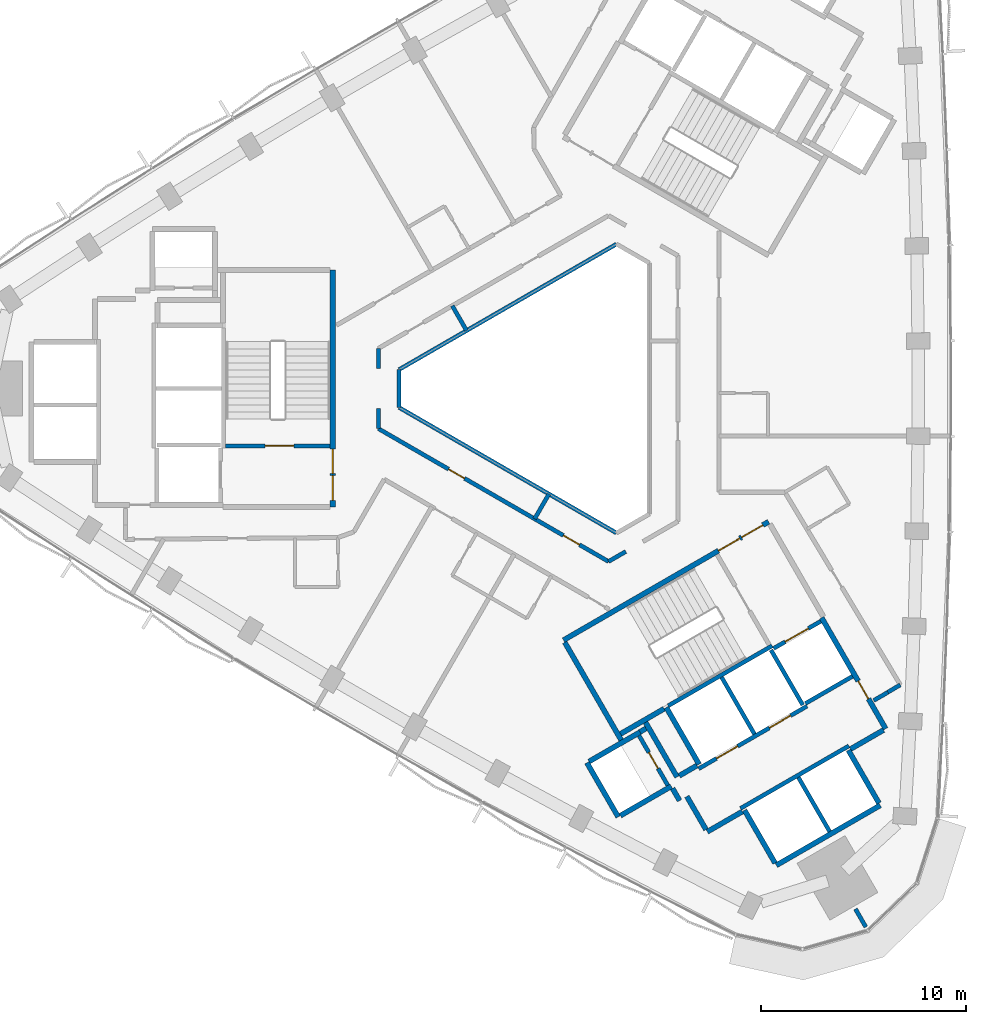
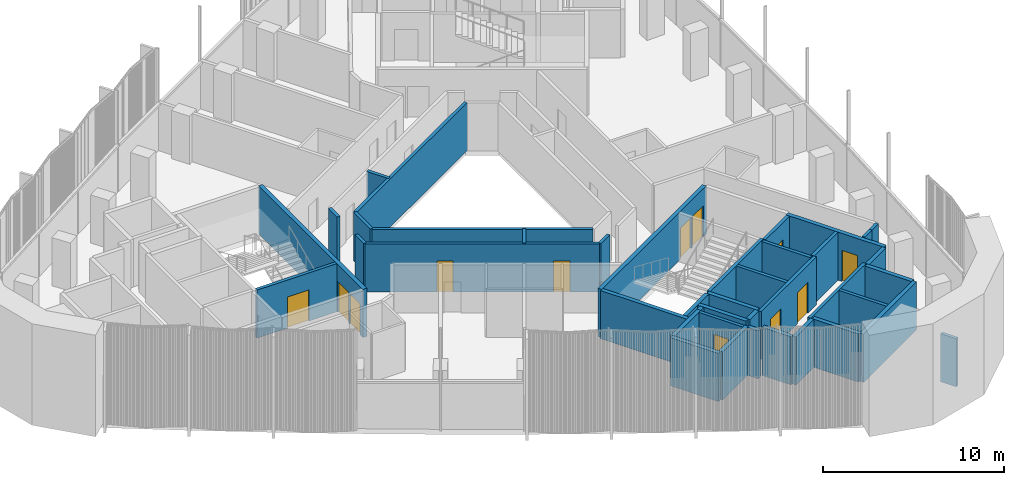
# One storey, part 8 of 14: 41 walls, 12 doors, 12 openings.
"""IFC4 building model written with IfcOpenShell, lengths in metres."""

from ifc_helpers import new_model, si_unit, direction, frame, frame_2d, origin, place, context, subcontext, project, spatial, rectangle, extrude, material, layer, layer_set, type_object, element, fill, save


model = new_model("IFC4")

# Units and contexts
model_context = context("Model", 3, precision=1e-05, world=origin(), true_north=direction((0.0, 1.0)))
body_context = subcontext(model_context, "Body", "Model", "MODEL_VIEW")
ifc_project = project(units=[si_unit("LENGTHUNIT", "METRE"), si_unit("AREAUNIT", "SQUARE_METRE"), si_unit("VOLUMEUNIT", "CUBIC_METRE"), si_unit("PLANEANGLEUNIT", "RADIAN"), si_unit("MASSUNIT", "GRAM", prefix="KILO")], contexts=[model_context])

# Site, building, storey
site_placement = place(None, origin())
site = spatial("IfcSite", under=ifc_project, at=site_placement, CompositionType="ELEMENT")
building_placement = place(site_placement, origin())
building = spatial("IfcBuilding", under=site, at=building_placement, Name="Tamra Quay Hotel Tower", CompositionType="ELEMENT")
storey_placement = place(building_placement, frame((0.0, 0.0, 175.60009765625)))
storey = spatial("IfcBuildingStorey", under=building, at=storey_placement, Name="L43", CompositionType="ELEMENT", Elevation=175.60009765625)

# Wall, opening, door
ifc_material_1 = material(Name="Concrete M70", Category="concrete")
ifc_layer_1 = layer(ifc_material_1, 0.199951171875)
ifc_layer_set_1 = layer_set([ifc_layer_1], Name="Concrete M70 core wall 200")
wall_type_1 = type_object("IfcWallType", Name="Concrete M70 core wall 200", PredefinedType="SHEAR", material=ifc_layer_set_1)
wall_1_placement = place(storey_placement, frame((-10.96337890625, -2.800048828125, 0.0), z_axis=(0.0, 0.0, 1.0), x_axis=(-1.0, 0.0, 0.0)))
wall_1 = element("IfcWall", 1, at=wall_1_placement, inside=storey, type_object=wall_type_1, Name="CW2", PredefinedType="SHEAR", context=body_context, shape_type="SweptSolid", body=[
    extrude(rectangle(XDim=5.097900390625, YDim=0.199951171875, at=frame_2d((2.548828125, 0.0))), origin(), (0.0, 0.0, 1.0), 3.25),
])
opening_1_placement = place(wall_1_placement, frame((1.77392578125, 0.0, 0.0)))
opening_1 = element("IfcOpeningElement", 2, at=opening_1_placement, cuts=wall_1, Name="Opening FD2", PredefinedType="OPENING", context=body_context, shape_type="SweptSolid", body=[
    extrude(rectangle(XDim=1.39990234375, YDim=2.10009765625, at=frame_2d((0.699951171875, 1.050048828125))), frame((0.0, 0.10986328125, 0.0), z_axis=(0.0, -1.0, 0.0), x_axis=(1.0, 0.0, 0.0)), (0.0, 0.0, 1.0), 0.219970703125),
])
ifc_material_2 = material(Name="Core door FD2 1400x2100 RH")
door_type_1 = type_object("IfcDoorType", Name="Core door FD2 1400x2100 RH", OperationType="NOTDEFINED", PredefinedType="DOOR", material=ifc_material_2)
door_1_placement = place(opening_1_placement, origin())
door_1 = element("IfcDoor", 3, at=door_1_placement, inside=storey, type_object=door_type_1, Name="FD2", OperationType="SINGLE_SWING_RIGHT", OverallHeight=2.10009765625, OverallWidth=1.39990234375, PredefinedType="DOOR", context=body_context, shape_type="SweptSolid", body=[
    extrude(rectangle(XDim=1.39990234375, YDim=2.10009765625, at=frame_2d((0.699951171875, 1.050048828125))), frame((0.0, 0.02490234375, 0.0), z_axis=(0.0, -1.0, 0.0), x_axis=(1.0, 0.0, 0.0)), (0.0, 0.0, 1.0), 0.050048828125),
])
fill(opening_1, door_1)

# Walls
wall_2_placement = place(storey_placement, frame((9.052490234375, -20.479736328125, 0.0), z_axis=(0.0, 0.0, 1.0), x_axis=(0.866030299012, 0.499991521122, 0.0)))
element("IfcWall", 4, at=wall_2_placement, inside=storey, type_object=wall_type_1, Name="CW2", PredefinedType="SHEAR", context=body_context, shape_type="SweptSolid", body=[
    extrude(rectangle(XDim=6.10009765625, YDim=0.199951171875, at=frame_2d((3.050048828125, 0.0))), origin(), (0.0, 0.0, 1.0), 3.25),
])
wall_3_placement = place(storey_placement, frame((5.525634765625, -15.47216796875, 0.0), z_axis=(0.0, 0.0, 1.0), x_axis=(0.866041752167, 0.499971682701, 0.0)))
element("IfcWall", 5, at=wall_3_placement, inside=storey, type_object=wall_type_1, Name="CW2", PredefinedType="SHEAR", context=body_context, shape_type="SweptSolid", body=[
    extrude(rectangle(XDim=5.850830078125, YDim=0.199951171875, at=frame_2d((2.92529296875, 0.0))), origin(), (0.0, 0.0, 1.0), 3.25),
])

# Wall, openings, doors
wall_4_placement = place(storey_placement, frame((12.292724609375, -15.491455078125, 0.0), z_axis=(0.0, 0.0, 1.0), x_axis=(-0.866030299012, -0.499991521122, 0.0)))
wall_4 = element("IfcWall", 6, at=wall_4_placement, inside=storey, type_object=wall_type_1, Name="CW2", PredefinedType="SHEAR", context=body_context, shape_type="SweptSolid", body=[
    extrude(rectangle(XDim=6.10009765625, YDim=0.199951171875, at=frame_2d((3.050048828125, 0.0))), origin(), (0.0, 0.0, 1.0), 3.25),
])
opening_2_placement = place(wall_4_placement, frame((3.900146484375, 0.0, 0.0)))
opening_2 = element("IfcOpeningElement", 7, at=opening_2_placement, cuts=wall_4, Name="Opening LD", PredefinedType="OPENING", context=body_context, shape_type="SweptSolid", body=[
    extrude(rectangle(XDim=1.199951171875, YDim=2.10009765625, at=frame_2d((0.60009765625, 1.050048828125))), frame((0.0, 0.10986328125, 0.0), z_axis=(0.0, -1.0, 0.0), x_axis=(1.0, 0.0, 0.0)), (0.0, 0.0, 1.0), 0.219970703125),
])
opening_3_placement = place(wall_4_placement, frame((0.918212890625, 0.0, 0.0)))
opening_3 = element("IfcOpeningElement", 8, at=opening_3_placement, cuts=wall_4, Name="Opening LD", PredefinedType="OPENING", context=body_context, shape_type="SweptSolid", body=[
    extrude(rectangle(XDim=1.199951171875, YDim=2.10009765625, at=frame_2d((0.60009765625, 1.050048828125))), frame((0.0, 0.10986328125, 0.0), z_axis=(0.0, -1.0, 0.0), x_axis=(1.0, 0.0, 0.0)), (0.0, 0.0, 1.0), 0.219970703125),
])
ifc_material_3 = material(Name="Landing door LD 1200 double door sliding")
door_type_2 = type_object("IfcDoorType", Name="Landing door LD 1200 double door sliding", OperationType="DOUBLE_DOOR_SLIDING", PredefinedType="DOOR", material=ifc_material_3)
door_2_placement = place(opening_2_placement, origin())
door_2 = element("IfcDoor", 9, at=door_2_placement, inside=storey, type_object=door_type_2, Name="LD", OperationType="DOUBLE_DOOR_SLIDING", OverallHeight=2.10009765625, OverallWidth=1.199951171875, PredefinedType="DOOR", context=body_context, shape_type="SweptSolid", body=[
    extrude(rectangle(XDim=1.199951171875, YDim=2.10009765625, at=frame_2d((0.60009765625, 1.050048828125))), frame((0.0, 0.02490234375, 0.0), z_axis=(0.0, -1.0, 0.0), x_axis=(1.0, 0.0, 0.0)), (0.0, 0.0, 1.0), 0.050048828125),
])
fill(opening_2, door_2)
door_3_placement = place(opening_3_placement, origin())
door_3 = element("IfcDoor", 10, at=door_3_placement, inside=storey, type_object=door_type_2, Name="LD", OperationType="DOUBLE_DOOR_SLIDING", OverallHeight=2.10009765625, OverallWidth=1.199951171875, PredefinedType="DOOR", context=body_context, shape_type="SweptSolid", body=[
    extrude(rectangle(XDim=1.199951171875, YDim=2.10009765625, at=frame_2d((0.60009765625, 1.050048828125))), frame((0.0, 0.02490234375, 0.0), z_axis=(0.0, -1.0, 0.0), x_axis=(1.0, 0.0, 0.0)), (0.0, 0.0, 1.0), 0.050048828125),
])
fill(opening_3, door_3)

# Walls
wall_5_placement = place(storey_placement, frame((8.131591796875, -14.084228515625, 0.0), z_axis=(0.0, 0.0, 1.0), x_axis=(0.499997778408, -0.866026686418, 0.0)))
element("IfcWall", 11, at=wall_5_placement, inside=storey, type_object=wall_type_1, Name="CW2", PredefinedType="SHEAR", context=body_context, shape_type="SweptSolid", body=[
    extrude(rectangle(XDim=3.1982421875, YDim=0.199951171875, at=frame_2d((1.59912109375, 0.0))), origin(), (0.0, 0.0, 1.0), 3.25),
])
wall_6_placement = place(storey_placement, frame((11.87451171875, -18.967041015625, 0.0), z_axis=(0.0, 0.0, 1.0), x_axis=(0.49998131003, -0.866036194175, 0.0)))
element("IfcWall", 12, at=wall_6_placement, inside=storey, type_object=wall_type_1, Name="CW2", PredefinedType="SHEAR", context=body_context, shape_type="SweptSolid", body=[
    extrude(rectangle(XDim=3.0478515625, YDim=0.199951171875, at=frame_2d((1.52392578125, 0.0))), origin(), (0.0, 0.0, 1.0), 3.25),
])

# Wall, opening, door
wall_7_placement = place(storey_placement, frame((5.50341796875, -19.352294921875, 0.0), z_axis=(0.0, 0.0, 1.0), x_axis=(-0.499986818241, 0.866033014143, 0.0)))
wall_7 = element("IfcWall", 13, at=wall_7_placement, inside=storey, type_object=wall_type_1, Name="CW2", PredefinedType="SHEAR", context=body_context, shape_type="SweptSolid", body=[
    extrude(rectangle(XDim=2.7978515625, YDim=0.199951171875, at=frame_2d((1.39892578125, 0.0))), origin(), (0.0, 0.0, 1.0), 3.25),
])
opening_4_placement = place(wall_7_placement, frame((0.948974609375, 0.0, 0.0)))
opening_4 = element("IfcOpeningElement", 14, at=opening_4_placement, cuts=wall_7, Name="Opening D1", PredefinedType="OPENING", context=body_context, shape_type="SweptSolid", body=[
    extrude(rectangle(XDim=0.89990234375, YDim=2.10009765625, at=frame_2d((0.449951171875, 1.050048828125))), frame((0.0, 0.10986328125, 0.0), z_axis=(0.0, -1.0, 0.0), x_axis=(1.0, 0.0, 0.0)), (0.0, 0.0, 1.0), 0.219970703125),
])
ifc_material_4 = material(Name="Core door D1 900x2100 RH")
door_type_3 = type_object("IfcDoorType", Name="Core door D1 900x2100 RH", OperationType="NOTDEFINED", PredefinedType="DOOR", material=ifc_material_4)
door_4_placement = place(opening_4_placement, origin())
door_4 = element("IfcDoor", 15, at=door_4_placement, inside=storey, type_object=door_type_3, Name="D1", OperationType="SINGLE_SWING_RIGHT", OverallHeight=2.10009765625, OverallWidth=0.89990234375, PredefinedType="DOOR", context=body_context, shape_type="SweptSolid", body=[
    extrude(rectangle(XDim=0.89990234375, YDim=2.10009765625, at=frame_2d((0.449951171875, 1.050048828125))), frame((0.0, 0.02490234375, 0.0), z_axis=(0.0, -1.0, 0.0), x_axis=(1.0, 0.0, 0.0)), (0.0, 0.0, 1.0), 0.050048828125),
])
fill(opening_4, door_4)

# Wall
wall_8_placement = place(storey_placement, frame((12.087646484375, -15.4365234375, 0.0), z_axis=(0.0, 0.0, 1.0), x_axis=(-0.500026960575, 0.86600983753, 0.0)))
element("IfcWall", 16, at=wall_8_placement, inside=storey, type_object=wall_type_1, Name="CW2", PredefinedType="SHEAR", context=body_context, shape_type="SweptSolid", body=[
    extrude(rectangle(XDim=3.099853515625, YDim=0.199951171875, at=frame_2d((1.5498046875, 0.0))), origin(), (0.0, 0.0, 1.0), 3.25),
])

# Wall, opening, door
wall_9_placement = place(storey_placement, frame((10.666015625, -12.677734375, 0.0), z_axis=(0.0, 0.0, 1.0), x_axis=(0.866018407898, 0.500012117035, 0.0)))
wall_9 = element("IfcWall", 17, at=wall_9_placement, inside=storey, type_object=wall_type_1, Name="CW2", PredefinedType="SHEAR", context=body_context, shape_type="SweptSolid", body=[
    extrude(rectangle(XDim=2.65087890625, YDim=0.199951171875, at=frame_2d((1.325439453125, 0.0))), origin(), (0.0, 0.0, 1.0), 3.25),
])
opening_5_placement = place(wall_9_placement, frame((0.65185546875, 0.0, 0.0)))
opening_5 = element("IfcOpeningElement", 18, at=opening_5_placement, cuts=wall_9, Name="Opening LD", PredefinedType="OPENING", context=body_context, shape_type="SweptSolid", body=[
    extrude(rectangle(XDim=1.300048828125, YDim=2.10009765625, at=frame_2d((0.64990234375, 1.050048828125))), frame((0.0, 0.10986328125, 0.0), z_axis=(0.0, -1.0, 0.0), x_axis=(1.0, 0.0, 0.0)), (0.0, 0.0, 1.0), 0.219970703125),
])
ifc_material_5 = material(Name="Landing door LD 1300 sliding to left")
door_type_4 = type_object("IfcDoorType", Name="Landing door LD 1300 sliding to left", OperationType="NOTDEFINED", PredefinedType="DOOR", material=ifc_material_5)
door_5_placement = place(opening_5_placement, origin())
door_5 = element("IfcDoor", 19, at=door_5_placement, inside=storey, type_object=door_type_4, Name="LD", OperationType="SLIDING_TO_LEFT", OverallHeight=2.10009765625, OverallWidth=1.300048828125, PredefinedType="DOOR", context=body_context, shape_type="SweptSolid", body=[
    extrude(rectangle(XDim=1.300048828125, YDim=2.10009765625, at=frame_2d((0.64990234375, 1.050048828125))), frame((0.0, 0.02490234375, 0.0), z_axis=(0.0, -1.0, 0.0), x_axis=(1.0, 0.0, 0.0)), (0.0, 0.0, 1.0), 0.050048828125),
])
fill(opening_5, door_5)

# Wall
wall_10_placement = place(storey_placement, frame((14.51171875, -14.037109375, 0.0), z_axis=(0.0, 0.0, 1.0), x_axis=(-0.866018407898, -0.500012117035, 0.0)))
element("IfcWall", 20, at=wall_10_placement, inside=storey, type_object=wall_type_1, Name="CW2", PredefinedType="SHEAR", context=body_context, shape_type="SweptSolid", body=[
    extrude(rectangle(XDim=2.65087890625, YDim=0.199951171875, at=frame_2d((1.325439453125, 0.0))), origin(), (0.0, 0.0, 1.0), 3.25),
])

# Wall, openings, doors
ifc_layer_2 = layer(ifc_material_1, 0.25)
ifc_layer_set_2 = layer_set([ifc_layer_2], Name="Concrete M70 core wall 250")
wall_type_2 = type_object("IfcWallType", Name="Concrete M70 core wall 250", PredefinedType="SHEAR", material=ifc_layer_set_2)
wall_11_placement = place(storey_placement, frame((-10.83740234375, 5.77490234375, 0.0), z_axis=(0.0, 0.0, 1.0), x_axis=(0.0, -1.0, 0.0)))
wall_11 = element("IfcWall", 21, at=wall_11_placement, inside=storey, type_object=wall_type_2, Name="CW1", PredefinedType="SHEAR", context=body_context, shape_type="SweptSolid", body=[
    extrude(rectangle(XDim=11.5498046875, YDim=0.25, at=frame_2d((5.77490234375, 0.0))), origin(), (0.0, 0.0, 1.0), 3.25),
])
opening_6_placement = place(wall_11_placement, frame((10.02490234375, 0.0, 0.0)))
opening_6 = element("IfcOpeningElement", 22, at=opening_6_placement, cuts=wall_11, Name="Opening FD1", PredefinedType="OPENING", context=body_context, shape_type="SweptSolid", body=[
    extrude(rectangle(XDim=1.199951171875, YDim=2.10009765625, at=frame_2d((0.60009765625, 1.050048828125))), frame((0.0, 0.135009765625, 0.0), z_axis=(0.0, -1.0, 0.0), x_axis=(1.0, 0.0, 0.0)), (0.0, 0.0, 1.0), 0.27001953125),
])
opening_7_placement = place(wall_11_placement, frame((8.72509765625, 0.0, 0.0)))
opening_7 = element("IfcOpeningElement", 23, at=opening_7_placement, cuts=wall_11, Name="Opening FD1", PredefinedType="OPENING", context=body_context, shape_type="SweptSolid", body=[
    extrude(rectangle(XDim=1.199951171875, YDim=2.10009765625, at=frame_2d((0.60009765625, 1.050048828125))), frame((0.0, 0.135009765625, 0.0), z_axis=(0.0, -1.0, 0.0), x_axis=(1.0, 0.0, 0.0)), (0.0, 0.0, 1.0), 0.27001953125),
])
ifc_material_6 = material(Name="Core door FD1 1200x2100 LH")
door_type_5 = type_object("IfcDoorType", Name="Core door FD1 1200x2100 LH", OperationType="NOTDEFINED", PredefinedType="DOOR", material=ifc_material_6)
door_6_placement = place(opening_6_placement, origin())
door_6 = element("IfcDoor", 24, at=door_6_placement, inside=storey, type_object=door_type_5, Name="FD1", OperationType="SINGLE_SWING_LEFT", OverallHeight=2.10009765625, OverallWidth=1.199951171875, PredefinedType="DOOR", context=body_context, shape_type="SweptSolid", body=[
    extrude(rectangle(XDim=1.199951171875, YDim=2.10009765625, at=frame_2d((0.60009765625, 1.050048828125))), frame((0.0, 0.02490234375, 0.0), z_axis=(0.0, -1.0, 0.0), x_axis=(1.0, 0.0, 0.0)), (0.0, 0.0, 1.0), 0.050048828125),
])
fill(opening_6, door_6)
ifc_material_7 = material(Name="Core door FD1 1200x2100 RH")
door_type_6 = type_object("IfcDoorType", Name="Core door FD1 1200x2100 RH", OperationType="NOTDEFINED", PredefinedType="DOOR", material=ifc_material_7)
door_7_placement = place(opening_7_placement, origin())
door_7 = element("IfcDoor", 25, at=door_7_placement, inside=storey, type_object=door_type_6, Name="FD1", OperationType="SINGLE_SWING_RIGHT", OverallHeight=2.10009765625, OverallWidth=1.199951171875, PredefinedType="DOOR", context=body_context, shape_type="SweptSolid", body=[
    extrude(rectangle(XDim=1.199951171875, YDim=2.10009765625, at=frame_2d((0.60009765625, 1.050048828125))), frame((0.0, 0.02490234375, 0.0), z_axis=(0.0, -1.0, 0.0), x_axis=(1.0, 0.0, 0.0)), (0.0, 0.0, 1.0), 0.050048828125),
])
fill(opening_7, door_7)

wall_12_placement = place(storey_placement, frame((0.417236328125, -12.27294921875, 0.0), z_axis=(0.0, 0.0, 1.0), x_axis=(0.866021906294, 0.500006057782, 0.0)))
wall_12 = element("IfcWall", 26, at=wall_12_placement, inside=storey, type_object=wall_type_2, Name="CW1", PredefinedType="SHEAR", context=body_context, shape_type="SweptSolid", body=[
    extrude(rectangle(XDim=11.550048828125, YDim=0.25, at=frame_2d((5.77490234375, 0.0))), origin(), (0.0, 0.0, 1.0), 3.25),
])
opening_8_placement = place(wall_12_placement, frame((10.024658203125, 0.0, 0.0)))
opening_8 = element("IfcOpeningElement", 27, at=opening_8_placement, cuts=wall_12, Name="Opening FD1", PredefinedType="OPENING", context=body_context, shape_type="SweptSolid", body=[
    extrude(rectangle(XDim=1.199951171875, YDim=2.10009765625, at=frame_2d((0.60009765625, 1.050048828125))), frame((0.0, 0.135009765625, 0.0), z_axis=(0.0, -1.0, 0.0), x_axis=(1.0, 0.0, 0.0)), (0.0, 0.0, 1.0), 0.27001953125),
])
opening_9_placement = place(wall_12_placement, frame((8.724609375, 0.0, 0.0)))
opening_9 = element("IfcOpeningElement", 28, at=opening_9_placement, cuts=wall_12, Name="Opening FD1", PredefinedType="OPENING", context=body_context, shape_type="SweptSolid", body=[
    extrude(rectangle(XDim=1.199951171875, YDim=2.10009765625, at=frame_2d((0.60009765625, 1.050048828125))), frame((0.0, 0.135009765625, 0.0), z_axis=(0.0, -1.0, 0.0), x_axis=(1.0, 0.0, 0.0)), (0.0, 0.0, 1.0), 0.27001953125),
])
door_8_placement = place(opening_8_placement, origin())
door_8 = element("IfcDoor", 29, at=door_8_placement, inside=storey, type_object=door_type_5, Name="FD1", OperationType="SINGLE_SWING_LEFT", OverallHeight=2.10009765625, OverallWidth=1.199951171875, PredefinedType="DOOR", context=body_context, shape_type="SweptSolid", body=[
    extrude(rectangle(XDim=1.199951171875, YDim=2.10009765625, at=frame_2d((0.60009765625, 1.050048828125))), frame((0.0, 0.02490234375, 0.0), z_axis=(0.0, -1.0, 0.0), x_axis=(1.0, 0.0, 0.0)), (0.0, 0.0, 1.0), 0.050048828125),
])
fill(opening_8, door_8)
door_9_placement = place(opening_9_placement, origin())
door_9 = element("IfcDoor", 30, at=door_9_placement, inside=storey, type_object=door_type_6, Name="FD1", OperationType="SINGLE_SWING_RIGHT", OverallHeight=2.10009765625, OverallWidth=1.199951171875, PredefinedType="DOOR", context=body_context, shape_type="SweptSolid", body=[
    extrude(rectangle(XDim=1.199951171875, YDim=2.10009765625, at=frame_2d((0.60009765625, 1.050048828125))), frame((0.0, 0.02490234375, 0.0), z_axis=(0.0, -1.0, 0.0), x_axis=(1.0, 0.0, 0.0)), (0.0, 0.0, 1.0), 0.050048828125),
])
fill(opening_9, door_9)

# Wall, opening, door
wall_13_placement = place(storey_placement, frame((13.00830078125, -11.18115234375, 0.0), z_axis=(0.0, 0.0, 1.0), x_axis=(0.500004234368, -0.866022959057, 0.0)))
wall_13 = element("IfcWall", 31, at=wall_13_placement, inside=storey, type_object=wall_type_2, Name="CW1", PredefinedType="SHEAR", context=body_context, shape_type="SweptSolid", body=[
    extrude(rectangle(XDim=6.25, YDim=0.25, at=frame_2d((3.125, 0.0))), origin(), (0.0, 0.0, 1.0), 3.25),
])
opening_10_placement = place(wall_13_placement, frame((3.562744140625, 0.0, 0.0)))
opening_10 = element("IfcOpeningElement", 32, at=opening_10_placement, cuts=wall_13, Name="Opening FD3", PredefinedType="OPENING", context=body_context, shape_type="SweptSolid", body=[
    extrude(rectangle(XDim=1.0, YDim=2.10009765625, at=frame_2d((0.5, 1.050048828125))), frame((0.0, 0.135009765625, 0.0), z_axis=(0.0, -1.0, 0.0), x_axis=(1.0, 0.0, 0.0)), (0.0, 0.0, 1.0), 0.27001953125),
])
ifc_material_8 = material(Name="Core door FD3 1000x2100 LH")
door_type_7 = type_object("IfcDoorType", Name="Core door FD3 1000x2100 LH", OperationType="NOTDEFINED", PredefinedType="DOOR", material=ifc_material_8)
door_10_placement = place(opening_10_placement, origin())
door_10 = element("IfcDoor", 33, at=door_10_placement, inside=storey, type_object=door_type_7, Name="FD3", OperationType="SINGLE_SWING_LEFT", OverallHeight=2.10009765625, OverallWidth=1.0, PredefinedType="DOOR", context=body_context, shape_type="SweptSolid", body=[
    extrude(rectangle(XDim=1.0, YDim=2.10009765625, at=frame_2d((0.5, 1.050048828125))), frame((0.0, 0.02490234375, 0.0), z_axis=(0.0, -1.0, 0.0), x_axis=(1.0, 0.0, 0.0)), (0.0, 0.0, 1.0), 0.050048828125),
])
fill(opening_10, door_10)

# Walls
wall_14_placement = place(storey_placement, frame((15.86474609375, -20.328369140625, 0.0), z_axis=(0.0, 0.0, 1.0), x_axis=(-0.86602852612, -0.499994591916, 0.0)))
element("IfcWall", 34, at=wall_14_placement, inside=storey, type_object=wall_type_2, Name="CW1", PredefinedType="SHEAR", context=body_context, shape_type="SweptSolid", body=[
    extrude(rectangle(XDim=5.85009765625, YDim=0.25, at=frame_2d((2.925048828125, 0.0))), origin(), (0.0, 0.0, 1.0), 3.25),
])
wall_15_placement = place(storey_placement, frame((3.23486328125, -17.15283203125, 0.0), z_axis=(0.0, 0.0, 1.0), x_axis=(-0.500008851346, 0.866020293397, 0.0)))
element("IfcWall", 35, at=wall_15_placement, inside=storey, type_object=wall_type_2, Name="CW1", PredefinedType="SHEAR", context=body_context, shape_type="SweptSolid", body=[
    extrude(rectangle(XDim=5.509765625, YDim=0.25, at=frame_2d((2.7548828125, 0.0))), origin(), (0.0, 0.0, 1.0), 3.25),
])
wall_16_placement = place(storey_placement, frame((7.030517578125, -18.327392578125, 0.0), z_axis=(0.0, 0.0, 1.0), x_axis=(-0.499971222258, 0.866042017984, 0.0)))
element("IfcWall", 36, at=wall_16_placement, inside=storey, type_object=wall_type_2, Name="CW1", PredefinedType="SHEAR", context=body_context, shape_type="SweptSolid", body=[
    extrude(rectangle(XDim=3.199951171875, YDim=0.25, at=frame_2d((1.60009765625, 0.0))), origin(), (0.0, 0.0, 1.0), 3.25),
])
for number, where, z_axis, x_axis, name in (
    (37, (14.314697265625, -17.643798828125, 0.0), (0.0, 0.0, 1.0), (0.500023226632, -0.866011993467, 0.0), "CW1"),
    (38, (10.73583984375, -23.144775390625, 0.0), (0.0, 0.0, 1.0), (-0.500023226632, 0.866011993467, 0.0), "CW1"),
):
    element("IfcWall", number, at=place(storey_placement, frame(where, z_axis=z_axis, x_axis=x_axis)), inside=storey, type_object=wall_type_2, Name=name, PredefinedType="SHEAR", context=body_context, shape_type="SweptSolid", body=[
        extrude(rectangle(XDim=2.974365234375, YDim=0.25, at=frame_2d((1.4873046875, 0.0))), origin(), (0.0, 0.0, 1.0), 3.25),
    ])
wall_17_placement = place(storey_placement, frame((3.085205078125, -20.893798828125, 0.0), z_axis=(0.0, 0.0, 1.0), x_axis=(-0.499978833458, 0.866037623948, 0.0)))
element("IfcWall", 39, at=wall_17_placement, inside=storey, type_object=wall_type_2, Name="CW1", PredefinedType="SHEAR", context=body_context, shape_type="SweptSolid", body=[
    extrude(rectangle(XDim=3.050048828125, YDim=0.25, at=frame_2d((1.52490234375, 0.0))), origin(), (0.0, 0.0, 1.0), 3.25),
])
wall_18_placement = place(storey_placement, frame((1.6689453125, -18.189697265625, 0.0), z_axis=(0.0, 0.0, 1.0), x_axis=(0.866042235819, 0.499970844928, 0.0)))
element("IfcWall", 40, at=wall_18_placement, inside=storey, type_object=wall_type_2, Name="CW1", PredefinedType="SHEAR", context=body_context, shape_type="SweptSolid", body=[
    extrude(rectangle(XDim=2.864501953125, YDim=0.25, at=frame_2d((1.43212890625, 0.0))), origin(), (0.0, 0.0, 1.0), 3.25),
])
wall_19_placement = place(storey_placement, frame((5.6748046875, -19.39892578125, 0.0), z_axis=(0.0, 0.0, 1.0), x_axis=(-0.866026637627, -0.499997862916, 0.0)))
element("IfcWall", 41, at=wall_19_placement, inside=storey, type_object=wall_type_2, Name="CW1", PredefinedType="SHEAR", context=body_context, shape_type="SweptSolid", body=[
    extrude(rectangle(XDim=2.86474609375, YDim=0.25, at=frame_2d((1.432373046875, 0.0))), origin(), (0.0, 0.0, 1.0), 3.25),
])
wall_20_placement = place(storey_placement, frame((4.414306640625, -16.275634765625, 0.0), z_axis=(0.0, 0.0, 1.0), x_axis=(0.500003324108, -0.866023484601, 0.0)))
element("IfcWall", 42, at=wall_20_placement, inside=storey, type_object=wall_type_2, Name="CW1", PredefinedType="SHEAR", context=body_context, shape_type="SweptSolid", body=[
    extrude(rectangle(XDim=3.0849609375, YDim=0.25, at=frame_2d((1.54248046875, 0.0))), origin(), (0.0, 0.0, 1.0), 3.25),
])
wall_21_placement = place(storey_placement, frame((5.322021484375, -15.618896484375, 0.0), z_axis=(0.0, 0.0, 1.0), x_axis=(-0.866026229868, -0.499998569178, 0.0)))
element("IfcWall", 43, at=wall_21_placement, inside=storey, type_object=wall_type_2, Name="CW1", PredefinedType="SHEAR", context=body_context, shape_type="SweptSolid", body=[
    extrude(rectangle(XDim=2.44921875, YDim=0.25, at=frame_2d((1.224609375, 0.0))), origin(), (0.0, 0.0, 1.0), 3.25),
])
wall_22_placement = place(storey_placement, frame((9.139892578125, -20.63134765625, 0.0), z_axis=(0.0, 0.0, 1.0), x_axis=(-0.866043531843, -0.499968599967, 0.0)))
element("IfcWall", 44, at=wall_22_placement, inside=storey, type_object=wall_type_2, Name="CW1", PredefinedType="SHEAR", context=body_context, shape_type="SweptSolid", body=[
    extrude(rectangle(XDim=1.974853515625, YDim=0.25, at=frame_2d((0.9873046875, 0.0))), origin(), (0.0, 0.0, 1.0), 3.25),
])
wall_23_placement = place(storey_placement, frame((16.024658203125, -16.656494140625, 0.0), z_axis=(0.0, 0.0, 1.0), x_axis=(-0.866016279763, -0.500015802937, 0.0)))
element("IfcWall", 45, at=wall_23_placement, inside=storey, type_object=wall_type_2, Name="CW1", PredefinedType="SHEAR", context=body_context, shape_type="SweptSolid", body=[
    extrude(rectangle(XDim=1.84912109375, YDim=0.25, at=frame_2d((0.924560546875, 0.0))), origin(), (0.0, 0.0, 1.0), 3.25),
])
wall_24_placement = place(storey_placement, frame((7.3671875, -21.51025390625, 0.0), z_axis=(0.0, 0.0, 1.0), x_axis=(-0.499983108224, 0.866035156036, 0.0)))
element("IfcWall", 46, at=wall_24_placement, inside=storey, type_object=wall_type_2, Name="CW1", PredefinedType="SHEAR", context=body_context, shape_type="SweptSolid", body=[
    extrude(rectangle(XDim=1.86474609375, YDim=0.25, at=frame_2d((0.932373046875, 0.0))), origin(), (0.0, 0.0, 1.0), 3.25),
])
wall_25_placement = place(storey_placement, frame((6.0654296875, -18.884765625, 0.0), z_axis=(0.0, 0.0, 1.0), x_axis=(0.866017078145, 0.500014420154, 0.0)))
element("IfcWall", 47, at=wall_25_placement, inside=storey, type_object=wall_type_2, Name="CW1", PredefinedType="SHEAR", context=body_context, shape_type="SweptSolid", body=[
    extrude(rectangle(XDim=0.9892578125, YDim=0.25, at=frame_2d((0.49462890625, 0.0))), origin(), (0.0, 0.0, 1.0), 3.25),
])
wall_26_placement = place(storey_placement, frame((6.07958984375, -20.100341796875, 0.0), z_axis=(0.0, 0.0, 1.0), x_axis=(-0.500051773299, 0.865995510393, 0.0)))
element("IfcWall", 48, at=wall_26_placement, inside=storey, type_object=wall_type_2, Name="CW1", PredefinedType="SHEAR", context=body_context, shape_type="SweptSolid", body=[
    extrude(rectangle(XDim=0.6845703125, YDim=0.25, at=frame_2d((0.34228515625, 0.0))), origin(), (0.0, 0.0, 1.0), 3.25),
])
wall_27_placement = place(storey_placement, frame((4.144775390625, -16.748779296875, 0.0), z_axis=(0.0, 0.0, 1.0), x_axis=(0.866185586049, 0.49972245349, 0.0)))
element("IfcWall", 49, at=wall_27_placement, inside=storey, type_object=wall_type_2, Name="CW1", PredefinedType="SHEAR", context=body_context, shape_type="SweptSolid", body=[
    extrude(rectangle(XDim=0.344482421875, YDim=0.25, at=frame_2d((0.17236328125, 0.0))), origin(), (0.0, 0.0, 1.0), 3.25),
])
ifc_material_9 = material(Name="Partition corridor wall")
ifc_layer_3 = layer(ifc_material_9, 0.199951171875)
ifc_layer_set_3 = layer_set([ifc_layer_3], Name="Partition corridor wall")
wall_type_3 = type_object("IfcWallType", Name="Partition corridor wall", PredefinedType="PARTITIONING", material=ifc_layer_set_3)
wall_28_placement = place(storey_placement, frame((-8.612060546875, -1.9560546875, 0.0), z_axis=(0.0, 0.0, 1.0), x_axis=(0.0, 1.0, 0.0)))
element("IfcWall", 50, at=wall_28_placement, inside=storey, type_object=wall_type_3, Name="W-C", PredefinedType="PARTITIONING", context=body_context, shape_type="SweptSolid", body=[
    extrude(rectangle(XDim=0.97412109375, YDim=0.199951171875, at=frame_2d((0.487060546875, 0.0))), origin(), (0.0, 0.0, 1.0), 3.25),
])

# Wall, openings, doors
wall_29_placement = place(storey_placement, frame((-8.612060546875, -1.9560546875, 0.0), z_axis=(0.0, 0.0, 1.0), x_axis=(0.866034386606, -0.499984440973, 0.0)))
wall_29 = element("IfcWall", 51, at=wall_29_placement, inside=storey, type_object=wall_type_3, Name="W-C", PredefinedType="PARTITIONING", context=body_context, shape_type="SweptSolid", body=[
    extrude(rectangle(XDim=12.96044921875, YDim=0.199951171875, at=frame_2d((6.480224609375, 0.0))), origin(), (0.0, 0.0, 1.0), 3.25),
])
opening_11_placement = place(wall_29_placement, frame((3.955078125, 0.0, 0.0)))
opening_11 = element("IfcOpeningElement", 52, at=opening_11_placement, cuts=wall_29, Name="Opening L43-D021", PredefinedType="OPENING", context=body_context, shape_type="SweptSolid", body=[
    extrude(rectangle(XDim=0.89990234375, YDim=2.10009765625, at=frame_2d((0.449951171875, 1.050048828125))), frame((0.0, 0.10986328125, 0.0), z_axis=(0.0, -1.0, 0.0), x_axis=(1.0, 0.0, 0.0)), (0.0, 0.0, 1.0), 0.219970703125),
])
opening_12_placement = place(wall_29_placement, frame((10.423828125, 0.0, 0.0)))
opening_12 = element("IfcOpeningElement", 53, at=opening_12_placement, cuts=wall_29, Name="Opening L43-D022", PredefinedType="OPENING", context=body_context, shape_type="SweptSolid", body=[
    extrude(rectangle(XDim=0.89990234375, YDim=2.10009765625, at=frame_2d((0.449951171875, 1.050048828125))), frame((0.0, 0.10986328125, 0.0), z_axis=(0.0, -1.0, 0.0), x_axis=(1.0, 0.0, 0.0)), (0.0, 0.0, 1.0), 0.219970703125),
])
ifc_material_10 = material(Name="Door service room 900x2100")
door_type_8 = type_object("IfcDoorType", Name="Door service room 900x2100", OperationType="NOTDEFINED", PredefinedType="DOOR", material=ifc_material_10)
door_11_placement = place(opening_11_placement, origin())
door_11 = element("IfcDoor", 54, at=door_11_placement, inside=storey, type_object=door_type_8, Name="L43-D021", OperationType="SINGLE_SWING_LEFT", OverallHeight=2.10009765625, OverallWidth=0.89990234375, PredefinedType="DOOR", context=body_context, shape_type="SweptSolid", body=[
    extrude(rectangle(XDim=0.89990234375, YDim=2.10009765625, at=frame_2d((0.449951171875, 1.050048828125))), frame((0.0, 0.02490234375, 0.0), z_axis=(0.0, -1.0, 0.0), x_axis=(1.0, 0.0, 0.0)), (0.0, 0.0, 1.0), 0.050048828125),
])
fill(opening_11, door_11)
door_12_placement = place(opening_12_placement, origin())
door_12 = element("IfcDoor", 55, at=door_12_placement, inside=storey, type_object=door_type_8, Name="L43-D022", OperationType="SINGLE_SWING_LEFT", OverallHeight=2.10009765625, OverallWidth=0.89990234375, PredefinedType="DOOR", context=body_context, shape_type="SweptSolid", body=[
    extrude(rectangle(XDim=0.89990234375, YDim=2.10009765625, at=frame_2d((0.449951171875, 1.050048828125))), frame((0.0, 0.02490234375, 0.0), z_axis=(0.0, -1.0, 0.0), x_axis=(1.0, 0.0, 0.0)), (0.0, 0.0, 1.0), 0.050048828125),
])
fill(opening_12, door_12)

# Walls
wall_30_placement = place(storey_placement, frame((-8.612060546875, 0.98193359375, 0.0), z_axis=(0.0, 0.0, 1.0), x_axis=(0.0, 1.0, 0.0)))
element("IfcWall", 56, at=wall_30_placement, inside=storey, type_object=wall_type_3, Name="W-C", PredefinedType="PARTITIONING", context=body_context, shape_type="SweptSolid", body=[
    extrude(rectangle(XDim=0.97412109375, YDim=0.199951171875, at=frame_2d((0.487060546875, 0.0))), origin(), (0.0, 0.0, 1.0), 3.25),
])
wall_31_placement = place(storey_placement, frame((2.6123046875, -8.4365234375, 0.0), z_axis=(0.0, 0.0, 1.0), x_axis=(0.866026830048, 0.499997529631, 0.0)))
element("IfcWall", 57, at=wall_31_placement, inside=storey, type_object=wall_type_3, Name="W-C", PredefinedType="PARTITIONING", context=body_context, shape_type="SweptSolid", body=[
    extrude(rectangle(XDim=0.97314453125, YDim=0.199951171875, at=frame_2d((0.486572265625, 0.0))), origin(), (0.0, 0.0, 1.0), 3.25),
])
wall_32_placement = place(storey_placement, frame((15.5498046875, -15.213134765625, 0.0), z_axis=(0.0, 0.0, 1.0), x_axis=(0.865989998118, 0.500061319399, 0.0)))
element("IfcWall", 58, at=wall_32_placement, inside=storey, type_object=wall_type_3, Name="W-C", PredefinedType="PARTITIONING", context=body_context, shape_type="SweptSolid", body=[
    extrude(rectangle(XDim=0.7900390625, YDim=0.199951171875, at=frame_2d((0.39501953125, 0.0))), origin(), (0.0, 0.0, 1.0), 3.25),
])
wall_33_placement = place(storey_placement, frame((16.23291015625, -14.81201171875, 0.0), z_axis=(0.0, 0.0, 1.0), x_axis=(0.862137800155, 0.506673872964, 0.0)))
element("IfcWall", 59, at=wall_33_placement, inside=storey, type_object=wall_type_3, Name="W-C", PredefinedType="PARTITIONING", context=body_context, shape_type="SweptSolid", body=[
    extrude(rectangle(XDim=0.708740234375, YDim=0.199951171875, at=frame_2d((0.3544921875, 0.0))), origin(), (0.0, 0.0, 1.0), 3.25),
])
ifc_material_11 = material(Name="Partition party wall")
ifc_layer_4 = layer(ifc_material_11, 0.199951171875)
ifc_layer_set_4 = layer_set([ifc_layer_4], Name="Partition party wall")
wall_type_4 = type_object("IfcWallType", Name="Partition party wall", PredefinedType="PARTITIONING", material=ifc_layer_set_4)
for number, where, z_axis, x_axis, name in (
    (60, (-7.60009765625, 0.924072265625, 0.0), (0.0, 0.0, 1.0), (0.866028806638, 0.499994106039, 0.0), "W-P"),
    (61, (-7.60009765625, -0.924072265625, 0.0), (0.0, 0.0, 1.0), (0.866028806638, -0.499994106039, 0.0), "W-P"),
):
    element("IfcWall", number, at=place(storey_placement, frame(where, z_axis=z_axis, x_axis=x_axis)), inside=storey, type_object=wall_type_4, Name=name, PredefinedType="PARTITIONING", context=body_context, shape_type="SweptSolid", body=[
        extrude(rectangle(XDim=12.239990234375, YDim=0.199951171875, at=frame_2d((6.1201171875, 0.0))), origin(), (0.0, 0.0, 1.0), 3.25),
    ])
wall_34_placement = place(storey_placement, frame((-7.60009765625, -0.924072265625, 0.0), z_axis=(0.0, 0.0, 1.0), x_axis=(0.0, 1.0, 0.0)))
element("IfcWall", 62, at=wall_34_placement, inside=storey, type_object=wall_type_4, Name="W-P", PredefinedType="PARTITIONING", context=body_context, shape_type="SweptSolid", body=[
    extrude(rectangle(XDim=1.84814453125, YDim=0.199951171875, at=frame_2d((0.924072265625, 0.0))), origin(), (0.0, 0.0, 1.0), 3.25),
])
wall_35_placement = place(storey_placement, frame((-5.00830078125, 4.036865234375, 0.0), z_axis=(0.0, 0.0, 1.0), x_axis=(0.49996389635, -0.866046247233, 0.0)))
element("IfcWall", 63, at=wall_35_placement, inside=storey, type_object=wall_type_4, Name="W-P", PredefinedType="PARTITIONING", context=body_context, shape_type="SweptSolid", body=[
    extrude(rectangle(XDim=1.400390625, YDim=0.199951171875, at=frame_2d((0.7001953125, 0.0))), origin(), (0.0, 0.0, 1.0), 3.25),
])
wall_36_placement = place(storey_placement, frame((-0.99169921875, -6.355224609375, 0.0), z_axis=(0.0, 0.0, 1.0), x_axis=(0.500059638837, 0.865990968548, 0.0)))
element("IfcWall", 64, at=wall_36_placement, inside=storey, type_object=wall_type_4, Name="W-P", PredefinedType="PARTITIONING", context=body_context, shape_type="SweptSolid", body=[
    extrude(rectangle(XDim=1.399658203125, YDim=0.199951171875, at=frame_2d((0.69970703125, 0.0))), origin(), (0.0, 0.0, 1.0), 3.25),
])
wall_37_placement = place(storey_placement, frame((14.655029296875, -25.382080078125, 0.0), z_axis=(0.0, 0.0, 1.0), x_axis=(0.49921010478, -0.86648096995, 0.0)))
element("IfcWall", 65, at=wall_37_placement, inside=storey, type_object=wall_type_4, Name="W-P", PredefinedType="PARTITIONING", context=body_context, shape_type="SweptSolid", body=[
    extrude(rectangle(XDim=1.017822265625, YDim=0.199951171875, at=frame_2d((0.5087890625, 0.0))), origin(), (0.0, 0.0, 1.0), 3.25),
])

save(model, "model.ifc")
